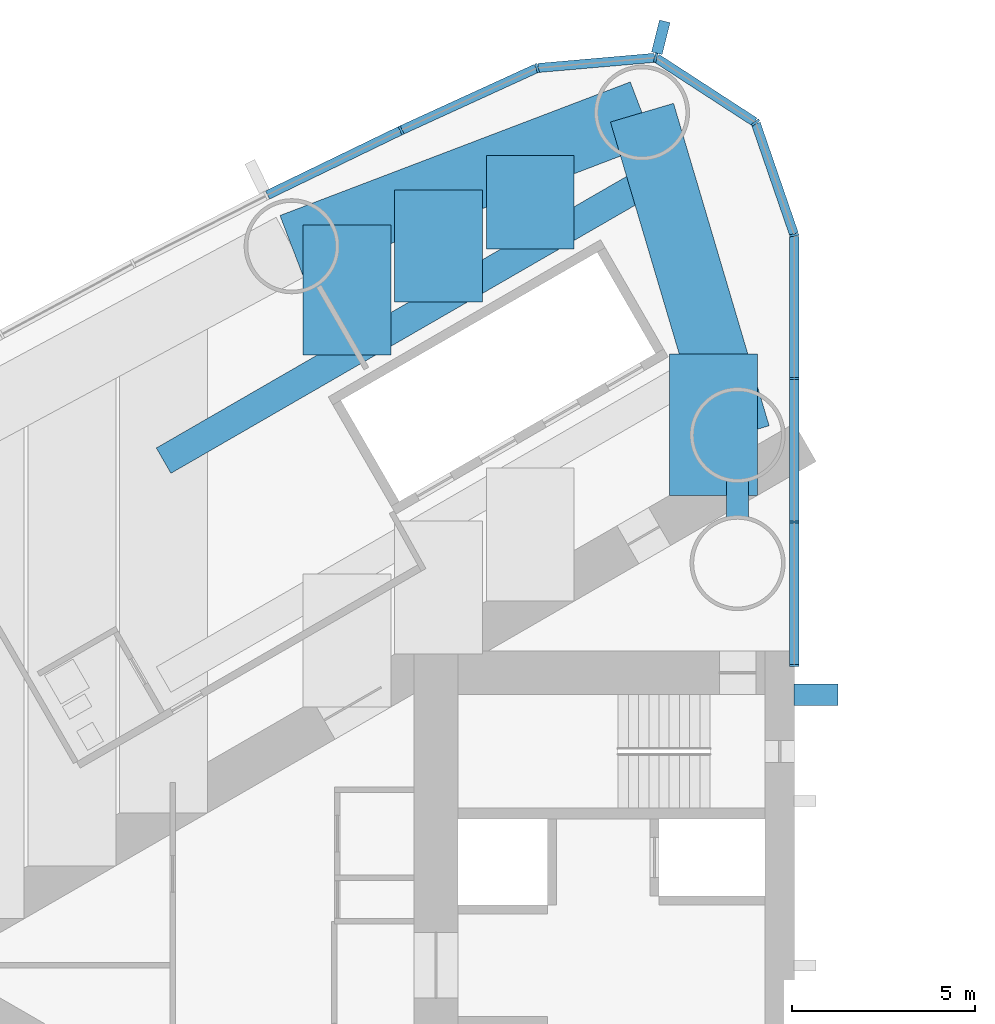
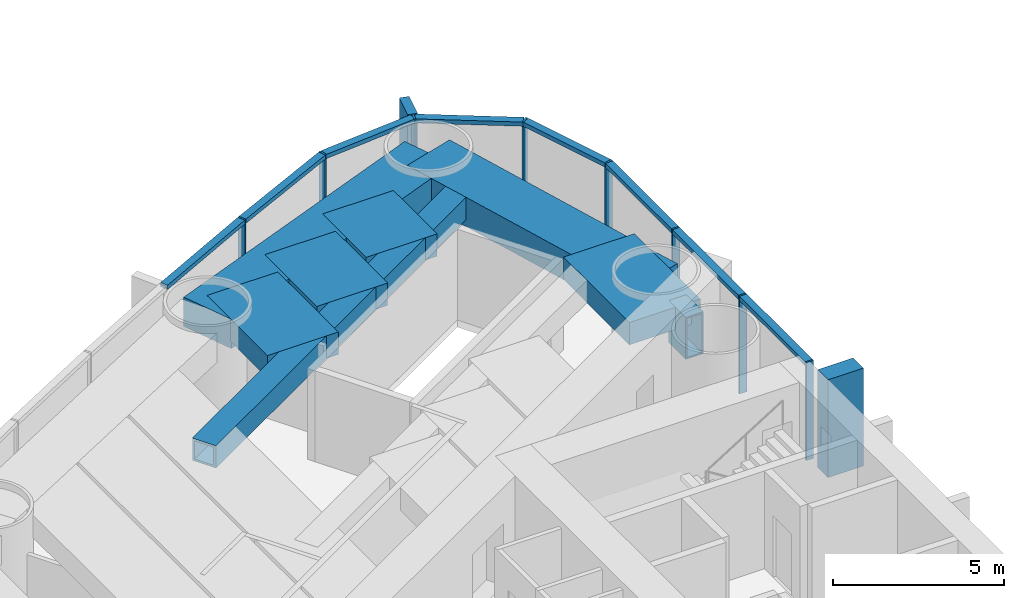
# One storey, part 5 of 18: 18 members, 8 beams, 1 element without a shape of its own.
"""IFC4 building model written with IfcOpenShell, lengths in metres."""

from ifc_helpers import new_model, si_unit, direction, frame, origin, origin_2d, place, context, subcontext, project, spatial, rectangle, hollow_rectangle, extrude, material, material_profile, profile_set, type_object, element, aggregate, save


model = new_model("IFC4")

# Units and contexts
model_context = context("Model", 3, precision=1e-05, world=origin(), true_north=direction((0.0, 1.0)))
body_context = subcontext(model_context, "Body", "Model", "MODEL_VIEW")
ifc_project = project(units=[si_unit("LENGTHUNIT", "METRE"), si_unit("AREAUNIT", "SQUARE_METRE"), si_unit("VOLUMEUNIT", "CUBIC_METRE"), si_unit("PLANEANGLEUNIT", "RADIAN"), si_unit("MASSUNIT", "GRAM", prefix="KILO")], contexts=[model_context])

# Site, building, storey
site_placement = place(None, origin())
site = spatial("IfcSite", under=ifc_project, at=site_placement, CompositionType="ELEMENT")
building_placement = place(site_placement, origin())
building = spatial("IfcBuilding", under=site, at=building_placement, Name="Lancet Gate Hotel", CompositionType="ELEMENT")
storey_placement = place(building_placement, frame((0.0, 0.0, 129.10009765625)))
storey = spatial("IfcBuildingStorey", under=building, at=storey_placement, Name="L34", CompositionType="ELEMENT", Elevation=129.10009765625)

# Curtain wall, members
ifc_material_1 = material(Name="Aluminium curtain wall", Category="aluminium")
curtain_wall_type = type_object("IfcCurtainWallType", Name="Tower unitised curtain wall", PredefinedType="USERDEFINED", material=ifc_material_1)
curtain_wall_placement = place(storey_placement, origin())
curtain_wall = element("IfcCurtainWall", 1, at=curtain_wall_placement, inside=storey, type_object=curtain_wall_type, Name="T1 L34 curtain wall 1", ObjectType="UNITISED CURTAIN WALL", PredefinedType="USERDEFINED")
ifc_material_2 = material(Name="Aluminium mullion", Category="aluminium")
ifc_material_profile_1 = material_profile(ifc_material_2, rectangle(XDim=0.06494140625, YDim=0.25, at=origin_2d()), Name="MULLION 65x250")
ifc_profile_set_1 = profile_set([ifc_material_profile_1], Name="Aluminium mullion")
member_type_1 = type_object("IfcMemberType", Name="Aluminium mullion 65x250", PredefinedType="MULLION", material=ifc_profile_set_1)
member_1_placement = place(storey_placement, frame((-27.5, 8.199951171875, 0.0), z_axis=(0.0, 0.0, 1.0), x_axis=(0.0, 1.0, 0.0)))
member_1 = element("IfcMember", 2, at=member_1_placement, type_object=member_type_1, Name="T1 L34 curtain wall 1 mullion 1", PredefinedType="MULLION", context=body_context, shape_type="SweptSolid", body=[
    extrude(rectangle(XDim=0.06494140625, YDim=0.25, at=origin_2d()), origin(), (0.0, 0.0, 1.0), 3.5),
])
member_2_placement = place(storey_placement, frame((-27.5, 12.123779296875, 0.0), z_axis=(0.0, 0.0, 1.0), x_axis=(0.0, 1.0, 0.0)))
member_2 = element("IfcMember", 3, at=member_2_placement, type_object=member_type_1, Name="T1 L34 curtain wall 1 mullion 2", PredefinedType="MULLION", context=body_context, shape_type="SweptSolid", body=[
    extrude(rectangle(XDim=0.06494140625, YDim=0.25, at=origin_2d()), origin(), (0.0, 0.0, 1.0), 3.5),
])
member_3_placement = place(storey_placement, frame((-27.5, 16.04736328125, 0.0), z_axis=(0.0, 0.0, 1.0), x_axis=(0.0, 1.0, 0.0)))
member_3 = element("IfcMember", 4, at=member_3_placement, type_object=member_type_1, Name="T1 L34 curtain wall 1 mullion 3", PredefinedType="MULLION", context=body_context, shape_type="SweptSolid", body=[
    extrude(rectangle(XDim=0.06494140625, YDim=0.25, at=origin_2d()), origin(), (0.0, 0.0, 1.0), 3.5),
])
member_4_placement = place(storey_placement, frame((-27.5, 19.97119140625, 0.0), z_axis=(0.0, 0.0, 1.0), x_axis=(-0.149634446211, 0.988741388082, 0.0)))
member_4 = element("IfcMember", 5, at=member_4_placement, type_object=member_type_1, Name="T1 L34 curtain wall 1 mullion 4", PredefinedType="MULLION", context=body_context, shape_type="SweptSolid", body=[
    extrude(rectangle(XDim=0.06494140625, YDim=0.25, at=origin_2d()), origin(), (0.0, 0.0, 1.0), 3.5),
])
member_5_placement = place(storey_placement, frame((-28.5595703125, 23.049072265625, 0.0), z_axis=(0.0, 0.0, 1.0), x_axis=(-0.615574240878, 0.788078900851, 0.0)))
member_5 = element("IfcMember", 6, at=member_5_placement, type_object=member_type_1, Name="T1 L34 curtain wall 1 mullion 5", PredefinedType="MULLION", context=body_context, shape_type="SweptSolid", body=[
    extrude(rectangle(XDim=0.06494140625, YDim=0.25, at=origin_2d()), origin(), (0.0, 0.0, 1.0), 3.5),
])
member_6_placement = place(storey_placement, frame((-31.289306640625, 24.822265625, 0.0), z_axis=(0.0, 0.0, 1.0), x_axis=(-0.970242142288, 0.242136707934, 0.0)))
member_6 = element("IfcMember", 7, at=member_6_placement, type_object=member_type_1, Name="T1 L34 curtain wall 1 mullion 6", PredefinedType="MULLION", context=body_context, shape_type="SweptSolid", body=[
    extrude(rectangle(XDim=0.06494140625, YDim=0.25, at=origin_2d()), origin(), (0.0, 0.0, 1.0), 3.5),
])
member_7_placement = place(storey_placement, frame((-34.5322265625, 24.53955078125, 0.0), z_axis=(0.0, 0.0, 1.0), x_axis=(-0.961653318232, -0.27426792655, 0.0)))
member_7 = element("IfcMember", 8, at=member_7_placement, type_object=member_type_1, Name="T1 L34 curtain wall 1 mullion 7", PredefinedType="MULLION", context=body_context, shape_type="SweptSolid", body=[
    extrude(rectangle(XDim=0.06494140625, YDim=0.25, at=origin_2d()), origin(), (0.0, 0.0, 1.0), 3.5),
])
member_8_placement = place(storey_placement, frame((-38.25244140625, 22.83642578125, 0.0), z_axis=(0.0, 0.0, 1.0), x_axis=(-0.904719609771, -0.426007544178, 0.0)))
member_8 = element("IfcMember", 9, at=member_8_placement, type_object=member_type_1, Name="T1 L34 curtain wall 1 mullion 8", PredefinedType="MULLION", context=body_context, shape_type="SweptSolid", body=[
    extrude(rectangle(XDim=0.06494140625, YDim=0.25, at=origin_2d()), origin(), (0.0, 0.0, 1.0), 3.5),
])
ifc_material_3 = material(Name="Aluminium transom", Category="aluminium")
ifc_material_profile_2 = material_profile(ifc_material_3, rectangle(XDim=0.25, YDim=0.14990234375, at=origin_2d()), Name="TRANSOM 250x150")
ifc_profile_set_2 = profile_set([ifc_material_profile_2], Name="Aluminium transom")
member_type_2 = type_object("IfcMemberType", Name="Aluminium transom 250x150", PredefinedType="USERDEFINED", material=ifc_profile_set_2)
member_9_placement = place(storey_placement, frame((-27.5, 8.232421875, 3.4248046875), z_axis=(0.0, 1.0, 0.0), x_axis=(-1.0, 0.0, 0.0)))
member_9 = element("IfcMember", 10, at=member_9_placement, type_object=member_type_2, Name="T1 L34 curtain wall 1 transom 1", ObjectType="TRANSOM", PredefinedType="USERDEFINED", context=body_context, shape_type="SweptSolid", body=[
    extrude(rectangle(XDim=0.25, YDim=0.14990234375, at=origin_2d()), origin(), (0.0, 0.0, 1.0), 3.85888671875),
])
member_10_placement = place(storey_placement, frame((-27.5, 12.15625, 3.4248046875), z_axis=(0.0, 1.0, 0.0), x_axis=(-1.0, 0.0, 0.0)))
member_10 = element("IfcMember", 11, at=member_10_placement, type_object=member_type_2, Name="T1 L34 curtain wall 1 transom 2", ObjectType="TRANSOM", PredefinedType="USERDEFINED", context=body_context, shape_type="SweptSolid", body=[
    extrude(rectangle(XDim=0.25, YDim=0.14990234375, at=origin_2d()), origin(), (0.0, 0.0, 1.0), 3.858642578125),
])
member_11_placement = place(storey_placement, frame((-27.5, 16.079833984375, 3.4248046875), z_axis=(0.0, 1.0, 0.0), x_axis=(-1.0, 0.0, 0.0)))
member_11 = element("IfcMember", 12, at=member_11_placement, type_object=member_type_2, Name="T1 L34 curtain wall 1 transom 3", ObjectType="TRANSOM", PredefinedType="USERDEFINED", context=body_context, shape_type="SweptSolid", body=[
    extrude(rectangle(XDim=0.25, YDim=0.14990234375, at=origin_2d()), origin(), (0.0, 0.0, 1.0), 3.858642578125),
])
member_12_placement = place(storey_placement, frame((-27.510498046875, 20.001708984375, 3.4248046875), z_axis=(-0.32553312754, 0.945530635609, 0.0), x_axis=(-0.945530635609, -0.32553312754, 0.0)))
member_12 = element("IfcMember", 13, at=member_12_placement, type_object=member_type_2, Name="T1 L34 curtain wall 1 transom 4", ObjectType="TRANSOM", PredefinedType="USERDEFINED", context=body_context, shape_type="SweptSolid", body=[
    extrude(rectangle(XDim=0.25, YDim=0.14990234375, at=origin_2d()), origin(), (0.0, 0.0, 1.0), 3.1904296875),
])
member_13_placement = place(storey_placement, frame((-28.5869140625, 23.066650390625, 3.4248046875), z_axis=(-0.838550259452, 0.544824249068, 0.0), x_axis=(-0.544824249068, -0.838550259452, 0.0)))
member_13 = element("IfcMember", 14, at=member_13_placement, type_object=member_type_2, Name="T1 L34 curtain wall 1 transom 5", ObjectType="TRANSOM", PredefinedType="USERDEFINED", context=body_context, shape_type="SweptSolid", body=[
    extrude(rectangle(XDim=0.25, YDim=0.14990234375, at=origin_2d()), origin(), (0.0, 0.0, 1.0), 3.190185546875),
])
member_14_placement = place(storey_placement, frame((-31.32177734375, 24.819580078125, 3.4248046875), z_axis=(-0.996213545522, -0.086940046686, 0.0), x_axis=(0.086940046686, -0.996213545522, 0.0)))
member_14 = element("IfcMember", 15, at=member_14_placement, type_object=member_type_2, Name="T1 L34 curtain wall 1 transom 6", ObjectType="TRANSOM", PredefinedType="USERDEFINED", context=body_context, shape_type="SweptSolid", body=[
    extrude(rectangle(XDim=0.25, YDim=0.14990234375, at=origin_2d()), origin(), (0.0, 0.0, 1.0), 3.18994140625),
])
member_15_placement = place(storey_placement, frame((-34.561767578125, 24.52587890625, 3.4248046875), z_axis=(-0.909252284196, -0.416245460857, 0.0), x_axis=(0.416245460857, -0.909252284196, 0.0)))
member_15 = element("IfcMember", 16, at=member_15_placement, type_object=member_type_2, Name="T1 L34 curtain wall 1 transom 7", ObjectType="TRANSOM", PredefinedType="USERDEFINED", context=body_context, shape_type="SweptSolid", body=[
    extrude(rectangle(XDim=0.25, YDim=0.14990234375, at=origin_2d()), origin(), (0.0, 0.0, 1.0), 4.026611328125),
])
member_16_placement = place(storey_placement, frame((-38.28173828125, 22.822265625, 3.4248046875), z_axis=(-0.900065677074, -0.435754262117, 0.0), x_axis=(0.435754262117, -0.900065677074, 0.0)))
member_16 = element("IfcMember", 17, at=member_16_placement, type_object=member_type_2, Name="T1 L34 curtain wall 1 transom 8", ObjectType="TRANSOM", PredefinedType="USERDEFINED", context=body_context, shape_type="SweptSolid", body=[
    extrude(rectangle(XDim=0.25, YDim=0.14990234375, at=origin_2d()), origin(), (0.0, 0.0, 1.0), 4.026611328125),
])

# Beams
ifc_material_4 = material(Name="Concrete C50/60", Category="concrete")
ifc_material_profile_3 = material_profile(ifc_material_4, rectangle(XDim=1.800048828125, YDim=1.050048828125, at=origin_2d()), Name="RC 1800x1050")
ifc_profile_set_3 = profile_set([ifc_material_profile_3], Name="Concrete C50/60")
beam_type_1 = type_object("IfcBeamType", Name="Edge beam RC 1800x1050", PredefinedType="SPANDREL", material=ifc_profile_set_3)
beam_1_placement = place(storey_placement, frame((-31.66455078125, 23.318359375, 2.724853515625), z_axis=(-0.934392266213, -0.356245832033, 0.0), x_axis=(0.356245832033, -0.934392266213, 0.0)))
element("IfcBeam", 18, at=beam_1_placement, inside=storey, type_object=beam_type_1, Name="T1 edge beam EB1 L34", PredefinedType="SPANDREL", context=body_context, shape_type="SweptSolid", body=[
    extrude(rectangle(XDim=1.800048828125, YDim=1.050048828125, at=origin_2d()), origin(), (0.0, 0.0, 1.0), 10.2529296875),
])
beam_2_placement = place(storey_placement, frame((-31.66455078125, 23.318359375, 2.724853515625), z_axis=(0.284253711522, -0.958749095168, 0.0), x_axis=(0.958749095168, 0.284253711522, 0.0)))
element("IfcBeam", 19, at=beam_2_placement, inside=storey, type_object=beam_type_1, Name="T1 edge beam EB1 L34", PredefinedType="SPANDREL", context=body_context, shape_type="SweptSolid", body=[
    extrude(rectangle(XDim=1.800048828125, YDim=1.050048828125, at=origin_2d()), origin(), (0.0, 0.0, 1.0), 9.19775390625),
])

# Member
ifc_material_5 = material(Name="Concrete C60/75", Category="concrete")
ifc_material_profile_4 = material_profile(ifc_material_5, rectangle(XDim=0.60009765625, YDim=1.199951171875, at=origin_2d()), Name="FIN 600x1200")
ifc_profile_set_4 = profile_set([ifc_material_profile_4], Name="Concrete C60/75")
member_type_3 = type_object("IfcMemberType", Name="Exposed concrete buttress pilaster 600x1200", PredefinedType="USERDEFINED", material=ifc_profile_set_4)
member_17_placement = place(storey_placement, frame((-26.909912109375, 7.39990234375, 0.0), z_axis=(0.0, 0.0, 1.0), x_axis=(0.0, 1.0, 0.0)))
element("IfcMember", 20, at=member_17_placement, inside=storey, type_object=member_type_3, Name="T1 buttress pilaster S L34", ObjectType="FIN", PredefinedType="USERDEFINED", context=body_context, shape_type="SweptSolid", body=[
    extrude(rectangle(XDim=0.60009765625, YDim=1.199951171875, at=origin_2d()), origin(), (0.0, 0.0, 1.0), 3.5),
])

ifc_material_6 = material(Name="Precast concrete C50/60", Category="concrete")
ifc_material_profile_5 = material_profile(ifc_material_6, rectangle(XDim=0.300048828125, YDim=0.89990234375, at=origin_2d()), Name="FIN 300x900")
ifc_profile_set_5 = profile_set([ifc_material_profile_5], Name="Precast concrete C50/60")
member_type_4 = type_object("IfcMemberType", Name="Exposed concrete fin 300x900", PredefinedType="USERDEFINED", material=ifc_profile_set_5)
member_18_placement = place(storey_placement, frame((-31.150146484375, 25.380126953125, 0.0), z_axis=(0.0, 0.0, 1.0), x_axis=(-0.970242142288, 0.242136707934, 0.0)))
member_18 = element("IfcMember", 21, at=member_18_placement, type_object=member_type_4, Name="T1 L34 curtain wall 1 fin 6", ObjectType="FIN", PredefinedType="USERDEFINED", context=body_context, shape_type="SweptSolid", body=[
    extrude(rectangle(XDim=0.300048828125, YDim=0.89990234375, at=origin_2d()), origin(), (0.0, 0.0, 1.0), 3.5),
])

aggregate(curtain_wall, [member_1, member_2, member_3, member_4, member_5, member_6, member_18, member_7, member_8, member_9, member_10, member_11, member_12, member_13, member_14, member_15, member_16])

# Beams
ifc_material_7 = material(Name="Concrete C50/60", Category="concrete")
ifc_material_profile_6 = material_profile(ifc_material_7, rectangle(XDim=2.39990234375, YDim=0.800048828125, at=origin_2d()), Name="RC 2400x800")
ifc_profile_set_6 = profile_set([ifc_material_profile_6], Name="Concrete C50/60")
beam_type_2 = type_object("IfcBeamType", Name="Floor beam RC 2400x800", PredefinedType="BEAM", material=ifc_profile_set_6)
beam_3_placement = place(storey_placement, frame((-29.706787109375, 16.71533203125, 2.849853515625), z_axis=(0.0, -1.0, 0.0), x_axis=(1.0, 0.0, 0.0)))
element("IfcBeam", 22, at=beam_3_placement, inside=storey, type_object=beam_type_2, Name="T1 floor beam F02S L34", PredefinedType="BEAM", context=body_context, shape_type="SweptSolid", body=[
    extrude(rectangle(XDim=2.39990234375, YDim=0.800048828125, at=origin_2d()), origin(), (0.0, 0.0, 1.0), 3.86279296875),
])
beam_4_placement = place(storey_placement, frame((-34.720458984375, 22.1533203125, 2.849853515625), z_axis=(0.0, -1.0, 0.0), x_axis=(1.0, 0.0, 0.0)))
element("IfcBeam", 23, at=beam_4_placement, inside=storey, type_object=beam_type_2, Name="T1 floor beam F04SA L34", PredefinedType="BEAM", context=body_context, shape_type="SweptSolid", body=[
    extrude(rectangle(XDim=2.39990234375, YDim=0.800048828125, at=origin_2d()), origin(), (0.0, 0.0, 1.0), 2.561767578125),
])
beam_5_placement = place(storey_placement, frame((-37.227294921875, 21.197509765625, 2.849853515625), z_axis=(0.0, -1.0, 0.0), x_axis=(1.0, 0.0, 0.0)))
element("IfcBeam", 24, at=beam_5_placement, inside=storey, type_object=beam_type_2, Name="T1 floor beam F05SA L34", PredefinedType="BEAM", context=body_context, shape_type="SweptSolid", body=[
    extrude(rectangle(XDim=2.39990234375, YDim=0.800048828125, at=origin_2d()), origin(), (0.0, 0.0, 1.0), 3.053466796875),
])
beam_6_placement = place(storey_placement, frame((-39.734130859375, 20.24169921875, 2.849853515625), z_axis=(0.0, -1.0, 0.0), x_axis=(1.0, 0.0, 0.0)))
element("IfcBeam", 25, at=beam_6_placement, inside=storey, type_object=beam_type_2, Name="T1 floor beam F07SA L34", PredefinedType="BEAM", context=body_context, shape_type="SweptSolid", body=[
    extrude(rectangle(XDim=2.39990234375, YDim=0.800048828125, at=origin_2d()), origin(), (0.0, 0.0, 1.0), 3.545166015625),
])
ifc_material_8 = material(Name="Steel S460QL", Category="steel")
ifc_material_profile_7 = material_profile(ifc_material_8, hollow_rectangle(XDim=0.60009765625, YDim=1.5, WallThickness=0.050048828125, at=origin_2d()), Name="BOX 1500x600x50")
ifc_profile_set_7 = profile_set([ifc_material_profile_7], Name="Steel S460QL")
beam_type_3 = type_object("IfcBeamType", Name="Inner-face link beam BOX 1500x600x50", PredefinedType="BEAM", material=ifc_profile_set_7)
beam_7_placement = place(storey_placement, frame((-29.050048828125, 13.25, 2.5), z_axis=(0.0, -1.0, 0.0), x_axis=(1.0, 0.0, 0.0)))
element("IfcBeam", 26, at=beam_7_placement, inside=storey, type_object=beam_type_3, Name="T1 inner-face link beam LK1 L34", PredefinedType="BEAM", context=body_context, shape_type="SweptSolid", body=[
    extrude(hollow_rectangle(XDim=0.60009765625, YDim=1.5, WallThickness=0.050048828125, at=origin_2d()), origin(), (0.0, 0.0, 1.0), 1.0),
])
ifc_material_9 = material(Name="Steel S460QL", Category="steel")
ifc_material_profile_8 = material_profile(ifc_material_9, hollow_rectangle(XDim=0.800048828125, YDim=0.800048828125, WallThickness=0.080078125, at=origin_2d()), Name="BOX 800x800x80")
ifc_profile_set_8 = profile_set([ifc_material_profile_8], Name="Steel S460QL")
beam_type_4 = type_object("IfcBeamType", Name="Trimmer beam BOX 800x800x80", PredefinedType="BEAM", material=ifc_profile_set_8)
beam_8_placement = place(storey_placement, frame((-31.16796875, 21.642822265625, 2.849853515625), z_axis=(-0.866004868127, -0.500035567115, 0.0), x_axis=(0.500035567115, -0.866004868127, 0.0)))
element("IfcBeam", 27, at=beam_8_placement, inside=storey, type_object=beam_type_4, Name="T1 trimmer beam TR04S L34", PredefinedType="BEAM", context=body_context, shape_type="SweptSolid", body=[
    extrude(hollow_rectangle(XDim=0.800048828125, YDim=0.800048828125, WallThickness=0.080078125, at=origin_2d()), origin(), (0.0, 0.0, 1.0), 15.680908203125),
])

save(model, "model.ifc")
